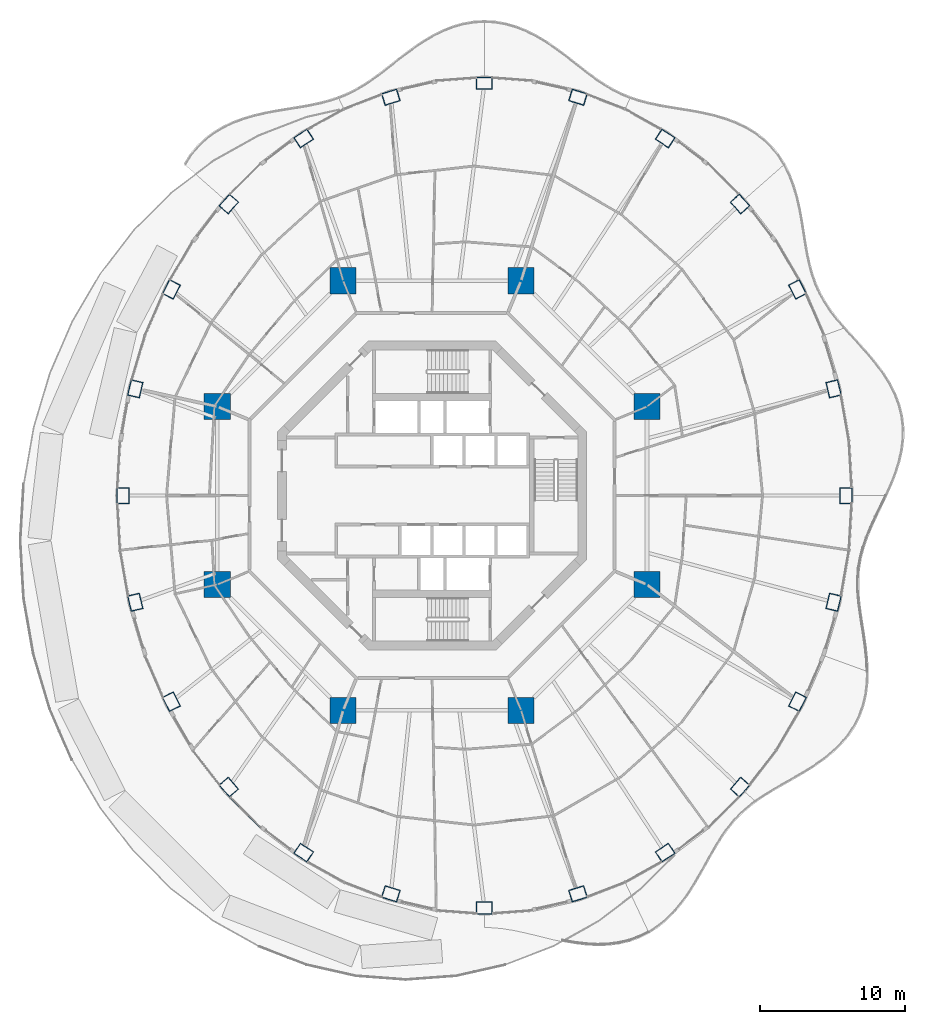
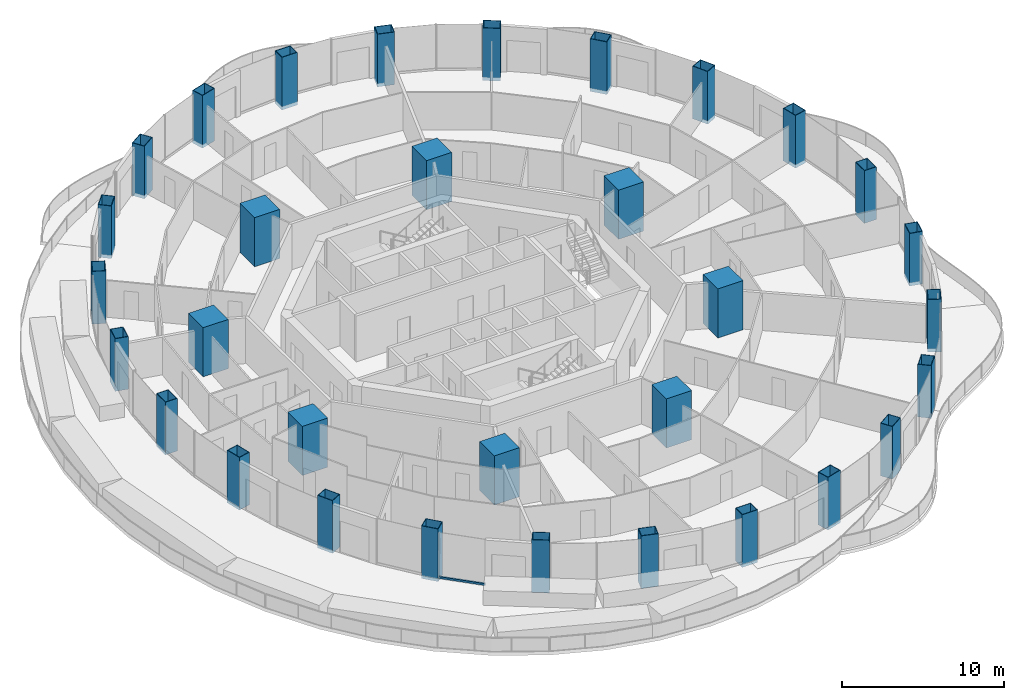
# One storey, part 1 of 20: 32 columns, 1 member, 1 element without a shape of its own.
"""IFC4 building model written with IfcOpenShell, lengths in metres."""

import ifcopenshell
import ifcopenshell.guid

model = None  # the IFC model being written
_history = None  # IfcOwnerHistory: only IFC2X3 demands one
_inside = {}  # id of a spatial element -> (the spatial element, [elements in it])
_under = {}  # id of a project, library or spatial element -> (it, [spatial elements below it])
_declared = {}  # id of a project -> (the project, [libraries it declares])
_typed = {}  # id of a type object -> (the type object, [elements of that type])
_made_of = {}  # id of a material, layer set ... -> (it, [elements and type objects made of it])


def new_model(schema):
    """Start an empty IFC model of exactly this schema.

    Asked for "IFC4X3", IfcOpenShell would pick the latest addendum, in which some entities
    have other attributes; the version numbers below select the first issue.
    IFC2X3 requires an IfcOwnerHistory on every rooted entity: one is made here for all.
    """
    global model, _history
    if schema == "IFC4X3":
        model = ifcopenshell.file(schema_version=(4, 3, 0, 0))
    else:
        model = ifcopenshell.file(schema=schema)
    _inside.clear()
    _under.clear()
    _declared.clear()
    _typed.clear()
    _made_of.clear()
    _history = None
    if model.schema == "IFC2X3":
        org = make("IfcOrganization", Name="unknown")
        user = make(
            "IfcPersonAndOrganization",
            ThePerson=make("IfcPerson", FamilyName="unknown"),
            TheOrganization=org,
        )
        app = make(
            "IfcApplication",
            ApplicationDeveloper=org,
            Version="unknown",
            ApplicationFullName="unknown",
            ApplicationIdentifier="unknown",
        )
        _history = make(
            "IfcOwnerHistory",
            OwningUser=user,
            OwningApplication=app,
            ChangeAction="ADDED",
            CreationDate=0,
        )
    return model


def make(cls, **values):
    """One entity of the class cls with the attributes given. An attribute that is None is left unset."""
    return model.create_entity(
        cls, **{name: value for name, value in values.items() if value is not None}
    )


def rooted(cls, **values):
    """An entity with a GlobalId (a new one), such as an element, a storey or a relation."""
    return make(cls, GlobalId=ifcopenshell.guid.new(), OwnerHistory=_history, **values)


def si_unit(unit_type, name, prefix=None):
    """IfcSIUnit, for example si_unit("LENGTHUNIT", "METRE", prefix="MILLI")."""
    return make("IfcSIUnit", UnitType=unit_type, Prefix=prefix, Name=name)


def assignment(units):
    """IfcUnitAssignment: the units of a project."""
    return None if units is None else make("IfcUnitAssignment", Units=units)


def point(xyz):
    """IfcCartesianPoint."""
    return None if xyz is None else make("IfcCartesianPoint", Coordinates=xyz)


def direction(xyz):
    """IfcDirection."""
    return None if xyz is None else make("IfcDirection", DirectionRatios=xyz)


def frame(location, z_axis=None, x_axis=None):
    """IfcAxis2Placement3D, a coordinate frame: its origin and axes. An axis left out is left unset."""
    return make(
        "IfcAxis2Placement3D",
        Location=point(location),
        Axis=direction(z_axis),
        RefDirection=direction(x_axis),
    )


def frame_2d(location, x_axis=None):
    """IfcAxis2Placement2D, a coordinate frame in the plane: its origin and x axis."""
    return make(
        "IfcAxis2Placement2D", Location=point(location), RefDirection=direction(x_axis)
    )


def origin():
    """The frame at (0, 0, 0) with its axes left unset."""
    return frame((0.0, 0.0, 0.0))


def origin_2d():
    """The frame at (0, 0) in the plane with its x axis left unset."""
    return frame_2d((0.0, 0.0))


def place(relative_to, where):
    """IfcLocalPlacement: puts the frame where relative to a parent placement (None: the world)."""
    return make(
        "IfcLocalPlacement", PlacementRelTo=relative_to, RelativePlacement=where
    )


def context(
    kind, dimensions, precision=None, world=None, true_north=None, identifier=None
):
    """IfcGeometricRepresentationContext, for example the 3D "Model" context."""
    return make(
        "IfcGeometricRepresentationContext",
        ContextIdentifier=identifier,
        ContextType=kind,
        CoordinateSpaceDimension=dimensions,
        Precision=precision,
        WorldCoordinateSystem=world,
        TrueNorth=true_north,
    )


def subcontext(parent, identifier, kind, view, scale=None):
    """IfcGeometricRepresentationSubContext, for example "Body" below "Model"."""
    return make(
        "IfcGeometricRepresentationSubContext",
        ContextIdentifier=identifier,
        ContextType=kind,
        ParentContext=parent,
        TargetScale=scale,
        TargetView=view,
    )


def project(units=None, contexts=None):
    """IfcProject with its units and contexts."""
    return rooted(
        "IfcProject",
        Name="project",
        RepresentationContexts=contexts,
        UnitsInContext=assignment(units),
    )


def spatial(cls, under=None, at=None, **own):
    """A site, building, storey or space (cls), placed at a placement, below another one or the project."""
    s = rooted(cls, ObjectPlacement=at, **own)
    if under is not None:
        _under.setdefault(under.id(), (under, []))[1].append(s)
    return s


def profile(cls, at=None, kind="AREA", **sizes):
    """A parametric profile (cls). Its sizes go by their IFC names, for example OverallWidth=200.0."""
    return make(cls, ProfileType=kind, Position=at, **sizes)


def rectangle(**sizes):
    """IfcRectangleProfileDef."""
    return profile("IfcRectangleProfileDef", **sizes)


def hollow_rectangle(**sizes):
    """IfcRectangleHollowProfileDef."""
    return profile("IfcRectangleHollowProfileDef", **sizes)


def extrude(swept, where, along, depth):
    """IfcExtrudedAreaSolid: the profile swept, set in the frame where, extruded along a direction by depth."""
    return make(
        "IfcExtrudedAreaSolid",
        SweptArea=swept,
        Position=where,
        ExtrudedDirection=direction(along),
        Depth=depth,
    )


def shape(context_of_items, identifier, shape_type, items):
    """IfcShapeRepresentation: the items that make up one representation, for example the "Body"."""
    return make(
        "IfcShapeRepresentation",
        ContextOfItems=context_of_items,
        RepresentationIdentifier=identifier,
        RepresentationType=shape_type,
        Items=items,
    )


def material(Name=None, Category=None):
    """IfcMaterial."""
    return make("IfcMaterial", Name=Name, Category=Category)


def layer(
    of_material, thickness, ventilated=None, Name=None, Category=None, Priority=None
):
    """IfcMaterialLayer: one layer of a wall or slab, of a material (None: an air gap)."""
    return make(
        "IfcMaterialLayer",
        Material=of_material,
        LayerThickness=thickness,
        IsVentilated=ventilated,
        Name=Name,
        Category=Category,
        Priority=Priority,
    )


def layer_set(layers, Name=None):
    """IfcMaterialLayerSet."""
    return make("IfcMaterialLayerSet", MaterialLayers=layers, LayerSetName=Name)


def material_profile(
    of_material, cross_section, Name=None, Category=None, Priority=None
):
    """IfcMaterialProfile: a cross section and its material."""
    return make(
        "IfcMaterialProfile",
        Name=Name,
        Material=of_material,
        Profile=cross_section,
        Priority=Priority,
        Category=Category,
    )


def profile_set(profiles, Name=None, composite=None):
    """IfcMaterialProfileSet."""
    return make(
        "IfcMaterialProfileSet",
        Name=Name,
        MaterialProfiles=profiles,
        CompositeProfile=composite,
    )


def made_of(thing, what):
    """Note that an element or type object is made of a material, layer set ...; save() writes the relation."""
    if what is not None:
        _made_of.setdefault(what.id(), (what, []))[1].append(thing)
    return thing


def type_object(cls, material=None, **own):
    """A type object (cls), such as IfcWallType, which elements share."""
    return made_of(rooted(cls, **own), material)


def element(
    cls,
    number,
    at=None,
    inside=None,
    cuts=None,
    type_object=None,
    material=None,
    context=None,
    identifier="Body",
    shape_type=None,
    held_by="IfcProductDefinitionShape",
    body=None,
    shapes=None,
    **own,
):
    """One element of the class cls, such as IfcWall. Its Tag is "e" and its number.

    at: its placement. inside: the storey or other place that contains it. cuts: it is an
    opening in that element (IfcRelVoidsElement). A single representation is given by context,
    identifier, shape_type and body (its items); several are given by shapes. held_by: the class
    of the entity that holds the representations. save() writes the other relations.
    """
    e = rooted(cls, Tag="e%d" % number, ObjectPlacement=at, **own)
    if body is not None:
        shapes = [shape(context, identifier, shape_type, body)]
    if shapes is not None:
        e.Representation = make(held_by, Representations=shapes)
    if inside is not None:
        _inside.setdefault(inside.id(), (inside, []))[1].append(e)
    if cuts is not None:
        rooted(
            "IfcRelVoidsElement", RelatingBuildingElement=cuts, RelatedOpeningElement=e
        )
    if type_object is not None:
        _typed.setdefault(type_object.id(), (type_object, []))[1].append(e)
    return made_of(e, material)


def aggregate(whole, parts):
    """IfcRelAggregates: a whole, such as a stair, and the parts it consists of."""
    return rooted("IfcRelAggregates", RelatingObject=whole, RelatedObjects=parts)


def save(model, path):
    """Write the relations noted so far, then the file.

    IfcRelAggregates (storeys below a building ...), IfcRelContainedInSpatialStructure (elements
    in a storey), IfcRelDefinesByType, IfcRelAssociatesMaterial and IfcRelDeclares: one each for
    every whole, place, type object, material and project.
    """
    for whole, parts in _under.values():
        aggregate(whole, parts)
    for where, things in _inside.values():
        rooted(
            "IfcRelContainedInSpatialStructure",
            RelatedElements=things,
            RelatingStructure=where,
        )
    for kind, things in _typed.values():
        rooted("IfcRelDefinesByType", RelatedObjects=things, RelatingType=kind)
    for what, things in _made_of.values():
        rooted("IfcRelAssociatesMaterial", RelatedObjects=things, RelatingMaterial=what)
    for by, libraries in _declared.values():
        rooted("IfcRelDeclares", RelatingContext=by, RelatedDefinitions=libraries)
    model.write(path)


model = new_model("IFC4")

# Units and contexts
model_context = context("Model", 3, precision=1e-05, world=origin(), true_north=direction((0.0, 1.0)))
body_context = subcontext(model_context, "Body", "Model", "MODEL_VIEW")
ifc_project = project(units=[si_unit("LENGTHUNIT", "METRE"), si_unit("AREAUNIT", "SQUARE_METRE"), si_unit("VOLUMEUNIT", "CUBIC_METRE"), si_unit("PLANEANGLEUNIT", "RADIAN"), si_unit("MASSUNIT", "GRAM", prefix="KILO")], contexts=[model_context])

# Site, building, storey
site_placement = place(None, origin())
site = spatial("IfcSite", under=ifc_project, at=site_placement, CompositionType="ELEMENT")
building_placement = place(site_placement, origin())
building = spatial("IfcBuilding", under=site, at=building_placement, Name="Nagisa Residences", CompositionType="ELEMENT")
storey_placement = place(building_placement, frame((0.0, 0.0, 165.89990234375)))
storey = spatial("IfcBuildingStorey", under=building, at=storey_placement, Name="L41", CompositionType="ELEMENT", Elevation=165.89990234375)

# Columns
ifc_material_1 = material(Name="Concrete C80", Category="concrete")
ifc_material_profile_1 = material_profile(ifc_material_1, rectangle(XDim=1.800048828125, YDim=1.800048828125, at=origin_2d()), Name="C80 1800x1800")
ifc_profile_set_1 = profile_set([ifc_material_profile_1], Name="Concrete C80")
column_type_1 = type_object("IfcColumnType", Name="Inner megacolumn C80 1800x1800", PredefinedType="COLUMN", material=ifc_profile_set_1)
for number, where, z_axis, x_axis, name in (
    (1, (14.781982421875, 6.123046875, 0.0), (0.0, 0.0, 1.0), (1.0, 0.0, 0.0), "col:L41:i1"),
    (2, (6.123046875, 14.781982421875, 0.0), (0.0, 0.0, 1.0), (1.0, 0.0, 0.0), "col:L41:i2"),
    (3, (-6.123046875, 14.781982421875, 0.0), (0.0, 0.0, 1.0), (1.0, 0.0, 0.0), "col:L41:i3"),
    (4, (-14.781982421875, 6.123046875, 0.0), (0.0, 0.0, 1.0), (1.0, 0.0, 0.0), "col:L41:i4"),
    (5, (-14.781982421875, -6.123046875, 0.0), (0.0, 0.0, 1.0), (1.0, 0.0, 0.0), "col:L41:i5"),
    (6, (-6.123046875, -14.781982421875, 0.0), (0.0, 0.0, 1.0), (1.0, 0.0, 0.0), "col:L41:i6"),
    (7, (6.123046875, -14.781982421875, 0.0), (0.0, 0.0, 1.0), (1.0, 0.0, 0.0), "col:L41:i7"),
    (8, (14.781982421875, -6.123046875, 0.0), (0.0, 0.0, 1.0), (1.0, 0.0, 0.0), "col:L41:i8"),
):
    element("IfcColumn", number, at=place(storey_placement, frame(where, z_axis=z_axis, x_axis=x_axis)), inside=storey, type_object=column_type_1, Name=name, PredefinedType="COLUMN", context=body_context, shape_type="SweptSolid", body=[
        extrude(rectangle(XDim=1.800048828125, YDim=1.800048828125, at=origin_2d()), origin(), (0.0, 0.0, 1.0), 3.7001953125),
    ])
ifc_material_2 = material(Name="Steel ASTM A572 Gr 50", Category="steel")
ifc_material_profile_2 = material_profile(ifc_material_2, hollow_rectangle(XDim=1.10009765625, YDim=0.85009765625, WallThickness=0.035888671875, at=origin_2d()), Name="BX 1100x850x36")
ifc_profile_set_2 = profile_set([ifc_material_profile_2], Name="Steel ASTM A572 Gr 50")
column_type_2 = type_object("IfcColumnType", Name="Perimeter column BX 1100x850x36", PredefinedType="COLUMN", material=ifc_profile_set_2)
for number, where, z_axis, x_axis, name in (
    (9, (28.47509765625, 0.0, -0.260009765625), (0.0, 0.0, 1.0), (0.0, 1.0, 0.0), "col:L41:p00"),
    (10, (27.62744140625, 7.343994140625, -0.260009765625), (0.0, 0.0, 1.0), (-0.229202013103, 0.973378876486, 0.0), "col:L41:p01"),
    (11, (25.142333984375, 14.1875, -0.260009765625), (0.0, 0.0, 1.0), (-0.452462697578, 0.891783329795, 0.0), "col:L41:p02"),
    (12, (21.189208984375, 20.064208984375, -0.260009765625), (0.0, 0.0, 1.0), (-0.660114607735, 0.751164898445, 0.0), "col:L41:p03"),
    (13, (16.03759765625, 24.573486328125, -0.260009765625), (0.0, 0.0, 1.0), (-0.835766105673, 0.54908561865, 0.0), "col:L41:p04"),
    (14, (10.0380859375, 27.408203125, -0.260009765625), (0.0, 0.0, 1.0), (-0.956524583408, 0.291651712384, 0.0), "col:L41:p05"),
    (15, (3.60009765625, 28.375, -0.260009765625), (0.0, 0.0, 1.0), (-1.0, 0.0, 0.0), "col:L41:p06"),
    (16, (-2.838134765625, 27.408203125, -0.260009765625), (0.0, 0.0, 1.0), (-0.956524583408, -0.291651712384, 0.0), "col:L41:p07"),
    (17, (-8.83740234375, 24.573486328125, -0.260009765625), (0.0, 0.0, 1.0), (-0.835766105673, -0.54908561865, 0.0), "col:L41:p08"),
    (18, (-13.9892578125, 20.064208984375, -0.260009765625), (0.0, 0.0, 1.0), (-0.660114607735, -0.751164898445, 0.0), "col:L41:p09"),
    (19, (-17.9423828125, 14.1875, -0.260009765625), (0.0, 0.0, 1.0), (-0.452462697578, -0.891783329795, 0.0), "col:L41:p10"),
    (20, (-20.427490234375, 7.343994140625, -0.260009765625), (0.0, 0.0, 1.0), (-0.229202013103, -0.973378876486, 0.0), "col:L41:p11"),
    (21, (-21.27490234375, 0.0, -0.260009765625), (0.0, 0.0, 1.0), (0.0, -1.0, 0.0), "col:L41:p12"),
    (22, (-20.427490234375, -7.343994140625, -0.260009765625), (0.0, 0.0, 1.0), (0.229202013103, -0.973378876486, 0.0), "col:L41:p13"),
    (23, (-17.9423828125, -14.1875, -0.260009765625), (0.0, 0.0, 1.0), (0.452462697578, -0.891783329795, 0.0), "col:L41:p14"),
    (24, (-13.9892578125, -20.064208984375, -0.260009765625), (0.0, 0.0, 1.0), (0.660114607735, -0.751164898445, 0.0), "col:L41:p15"),
    (25, (-8.83740234375, -24.573486328125, -0.260009765625), (0.0, 0.0, 1.0), (0.835766105673, -0.54908561865, 0.0), "col:L41:p16"),
    (26, (-2.838134765625, -27.408203125, -0.260009765625), (0.0, 0.0, 1.0), (0.956524583408, -0.291651712384, 0.0), "col:L41:p17"),
    (27, (3.60009765625, -28.375, -0.260009765625), (0.0, 0.0, 1.0), (1.0, 0.0, 0.0), "col:L41:p18"),
    (28, (10.0380859375, -27.408203125, -0.260009765625), (0.0, 0.0, 1.0), (0.956524583408, 0.291651712384, 0.0), "col:L41:p19"),
    (29, (16.03759765625, -24.573486328125, -0.260009765625), (0.0, 0.0, 1.0), (0.835766105673, 0.54908561865, 0.0), "col:L41:p20"),
    (30, (21.189208984375, -20.064208984375, -0.260009765625), (0.0, 0.0, 1.0), (0.660114607735, 0.751164898445, 0.0), "col:L41:p21"),
    (31, (25.142333984375, -14.1875, -0.260009765625), (0.0, 0.0, 1.0), (0.452462697578, 0.891783329795, 0.0), "col:L41:p22"),
    (32, (27.62744140625, -7.343994140625, -0.260009765625), (0.0, 0.0, 1.0), (0.229202013103, 0.973378876486, 0.0), "col:L41:p23"),
):
    element("IfcColumn", number, at=place(storey_placement, frame(where, z_axis=z_axis, x_axis=x_axis)), inside=storey, type_object=column_type_2, Name=name, PredefinedType="COLUMN", context=body_context, shape_type="SweptSolid", body=[
        extrude(hollow_rectangle(XDim=1.10009765625, YDim=0.85009765625, WallThickness=0.035888671875, at=origin_2d()), origin(), (0.0, 0.0, 1.0), 3.960205078125),
    ])

# Curtain wall, member
ifc_material_3 = material(Name="Concrete-coloured aluminium curtain wall system", Category="concrete")
ifc_layer = layer(ifc_material_3, 0.159912109375)
ifc_layer_set = layer_set([ifc_layer], Name="CW1 CURTAIN WALL")
curtain_wall_type = type_object("IfcCurtainWallType", Name="CW1 CURTAIN WALL", PredefinedType="NOTDEFINED", material=ifc_layer_set)
curtain_wall_placement = place(storey_placement, origin())
curtain_wall = element("IfcCurtainWall", 33, at=curtain_wall_placement, inside=storey, type_object=curtain_wall_type, Name="cw:CW1:L41:30", PredefinedType="NOTDEFINED")
ifc_material_4 = material(Name="Concrete-coloured aluminium", Category="concrete")
ifc_material_profile_3 = material_profile(ifc_material_4, rectangle(XDim=0.1201171875, YDim=0.14990234375, at=origin_2d()), Name="CW1 TRANSOM 120x150")
ifc_profile_set_3 = profile_set([ifc_material_profile_3], Name="Concrete-coloured aluminium")
member_type = type_object("IfcMemberType", Name="CW1 TRANSOM 120x150", PredefinedType="USERDEFINED", material=ifc_profile_set_3)
member_placement = place(storey_placement, frame((-13.89697265625, -20.74951171875, 0.0751953125), z_axis=(0.707803821372, -0.706409053206, 0.0), x_axis=(0.706409053206, 0.707803821372, 0.0)))
member = element("IfcMember", 34, at=member_placement, type_object=member_type, Name="CW1 transom", ObjectType="TRANSOM", PredefinedType="USERDEFINED", context=body_context, shape_type="SweptSolid", body=[
    extrude(rectangle(XDim=0.1201171875, YDim=0.14990234375, at=origin_2d()), origin(), (0.0, 0.0, 1.0), 2.9755859375),
])
aggregate(curtain_wall, [member])

save(model, "model.ifc")
